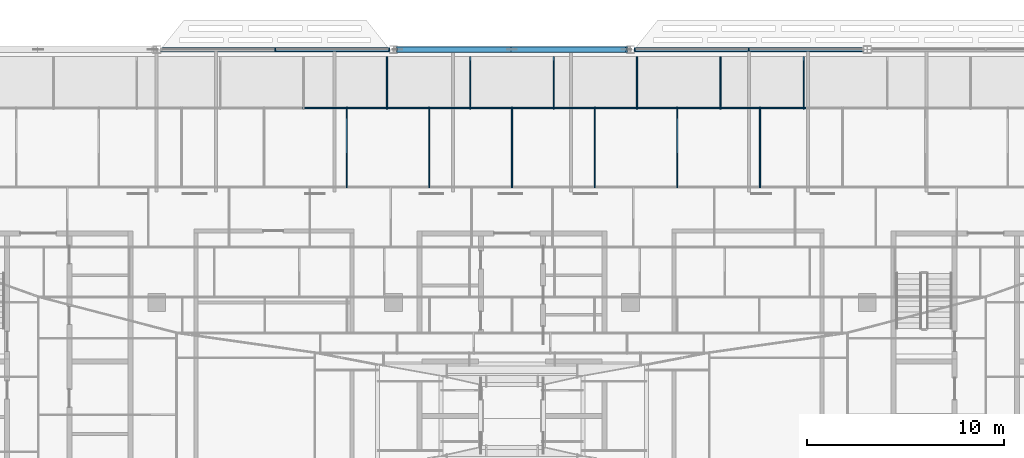
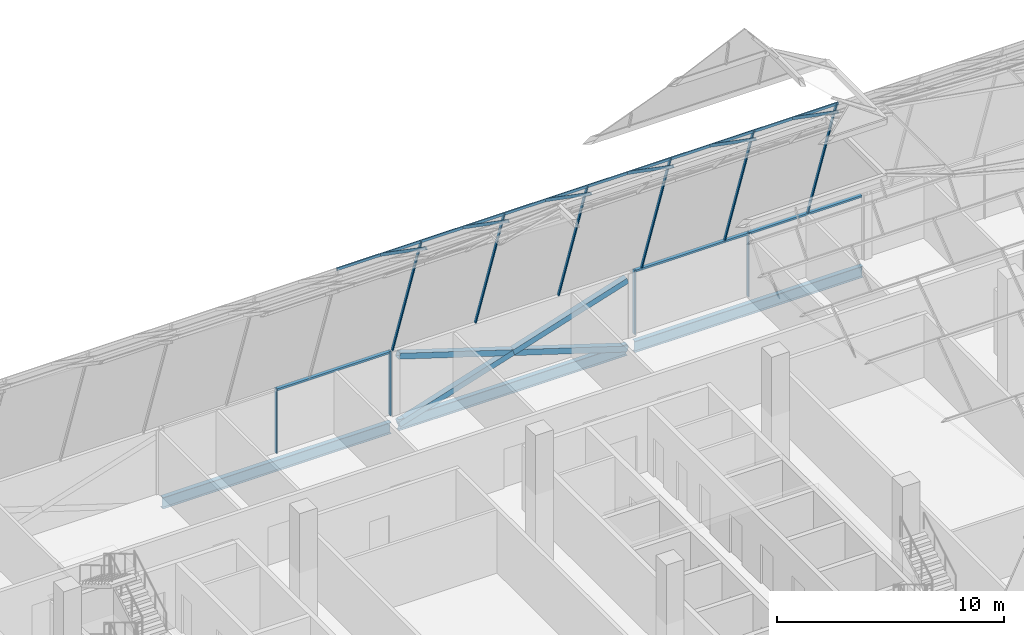
# One storey, part 14 of 39: 28 members, 3 beams, 4 elements without a shape of their own.
"""IFC4 building model written with IfcOpenShell, lengths in metres."""

from ifc_helpers import new_model, si_unit, direction, frame, origin, origin_2d, place, context, subcontext, project, spatial, rectangle, hollow_rectangle, i_section, extrude, material, material_profile, profile_set, type_object, element, aggregate, save


model = new_model("IFC4")

# Units and contexts
model_context = context("Model", 3, precision=1e-05, world=origin(), true_north=direction((0.0, 1.0)))
body_context = subcontext(model_context, "Body", "Model", "MODEL_VIEW")
ifc_project = project(units=[si_unit("LENGTHUNIT", "METRE"), si_unit("AREAUNIT", "SQUARE_METRE"), si_unit("VOLUMEUNIT", "CUBIC_METRE"), si_unit("PLANEANGLEUNIT", "RADIAN"), si_unit("MASSUNIT", "GRAM", prefix="KILO")], contexts=[model_context])

# Site, building, storey
site_placement = place(None, origin())
site = spatial("IfcSite", under=ifc_project, at=site_placement, CompositionType="ELEMENT")
building_placement = place(site_placement, origin())
building = spatial("IfcBuilding", under=site, at=building_placement, Name="Mahtab Terrace Research Tower", CompositionType="ELEMENT")
storey_placement = place(building_placement, frame((0.0, 0.0, 282.300048828125)))
storey = spatial("IfcBuildingStorey", under=building, at=storey_placement, Name="L69", CompositionType="ELEMENT", Elevation=282.300048828125)

# Curtain wall, members
ifc_material_1 = material(Name="Crown faceted glass roof")
curtain_wall_type_1 = type_object("IfcCurtainWallType", Name="Crown faceted glass roof", PredefinedType="NOTDEFINED", material=ifc_material_1)
curtain_wall_1_placement = place(storey_placement, origin())
curtain_wall_1 = element("IfcCurtainWall", 1, at=curtain_wall_1_placement, inside=storey, type_object=curtain_wall_type_1, Name="CROWN.N0", PredefinedType="NOTDEFINED")
ifc_material_2 = material(Name="Natural anodised aluminium", Category="aluminium")
ifc_material_profile_1 = material_profile(ifc_material_2, rectangle(XDim=0.06005859375, YDim=0.139892578125, at=origin_2d()), Name="MULLION 60x140")
ifc_profile_set_1 = profile_set([ifc_material_profile_1], Name="Natural anodised aluminium")
member_type_1 = type_object("IfcMemberType", Name="Crown faceted glass roof mullion", PredefinedType="MULLION", material=ifc_profile_set_1)
member_1_placement = place(storey_placement, frame((-6.33544921875, 23.890869140625, 3.777099609375), z_axis=(0.0, -0.325682087794, 0.945479337527), x_axis=(1.0, 0.0, 0.0)))
member_1 = element("IfcMember", 2, at=member_1_placement, type_object=member_type_1, Name="CWC-N1 mullion 10", PredefinedType="MULLION", context=body_context, shape_type="SweptSolid", body=[
    extrude(rectangle(XDim=0.06005859375, YDim=0.139892578125, at=origin_2d()), origin(), (0.0, 0.0, 1.0), 7.826904296875),
])
member_2_placement = place(storey_placement, frame((-2.11181640625, 23.890869140625, 3.777099609375), z_axis=(0.0, -0.325682087794, 0.945479337527), x_axis=(1.0, 0.0, 0.0)))
member_2 = element("IfcMember", 3, at=member_2_placement, type_object=member_type_1, Name="CWC-N1 mullion 11", PredefinedType="MULLION", context=body_context, shape_type="SweptSolid", body=[
    extrude(rectangle(XDim=0.06005859375, YDim=0.139892578125, at=origin_2d()), origin(), (0.0, 0.0, 1.0), 7.826904296875),
])
member_3_placement = place(storey_placement, frame((2.11181640625, 23.890869140625, 3.777099609375), z_axis=(0.0, -0.325682087794, 0.945479337527), x_axis=(1.0, 0.0, 0.0)))
member_3 = element("IfcMember", 4, at=member_3_placement, type_object=member_type_1, Name="CWC-N1 mullion 12", PredefinedType="MULLION", context=body_context, shape_type="SweptSolid", body=[
    extrude(rectangle(XDim=0.06005859375, YDim=0.139892578125, at=origin_2d()), origin(), (0.0, 0.0, 1.0), 7.826904296875),
])
member_4_placement = place(storey_placement, frame((6.33544921875, 23.890869140625, 3.777099609375), z_axis=(0.0, -0.325682087794, 0.945479337527), x_axis=(1.0, 0.0, 0.0)))
member_4 = element("IfcMember", 5, at=member_4_placement, type_object=member_type_1, Name="CWC-N1 mullion 13", PredefinedType="MULLION", context=body_context, shape_type="SweptSolid", body=[
    extrude(rectangle(XDim=0.06005859375, YDim=0.139892578125, at=origin_2d()), origin(), (0.0, 0.0, 1.0), 7.826904296875),
])
member_5_placement = place(storey_placement, frame((10.55908203125, 23.890869140625, 3.777099609375), z_axis=(0.0, -0.325682087794, 0.945479337527), x_axis=(1.0, 0.0, 0.0)))
member_5 = element("IfcMember", 6, at=member_5_placement, type_object=member_type_1, Name="CWC-N1 mullion 14", PredefinedType="MULLION", context=body_context, shape_type="SweptSolid", body=[
    extrude(rectangle(XDim=0.06005859375, YDim=0.139892578125, at=origin_2d()), origin(), (0.0, 0.0, 1.0), 7.826904296875),
])
member_6_placement = place(storey_placement, frame((14.78271484375, 23.890869140625, 3.777099609375), z_axis=(0.0, -0.325682087794, 0.945479337527), x_axis=(1.0, 0.0, 0.0)))
member_6 = element("IfcMember", 7, at=member_6_placement, type_object=member_type_1, Name="CWC-N1 mullion 15", PredefinedType="MULLION", context=body_context, shape_type="SweptSolid", body=[
    extrude(rectangle(XDim=0.06005859375, YDim=0.139892578125, at=origin_2d()), origin(), (0.0, 0.0, 1.0), 7.826904296875),
])
aggregate(curtain_wall_1, [member_1, member_2, member_3, member_4, member_5, member_6])

curtain_wall_2_placement = place(storey_placement, origin())
curtain_wall_2 = element("IfcCurtainWall", 8, at=curtain_wall_2_placement, inside=storey, type_object=curtain_wall_type_1, Name="CROWN.N1", PredefinedType="NOTDEFINED")
member_7_placement = place(storey_placement, frame((-8.372802734375, 21.367919921875, 11.142333984375), z_axis=(0.0, -0.820812816506, 0.571197269128), x_axis=(1.0, 0.0, 0.0)))
member_7 = element("IfcMember", 9, at=member_7_placement, type_object=member_type_1, Name="CWC-N2 mullion 8", PredefinedType="MULLION", context=body_context, shape_type="SweptSolid", body=[
    extrude(rectangle(XDim=0.06005859375, YDim=0.139892578125, at=origin_2d()), origin(), (0.0, 0.0, 1.0), 4.902099609375),
])
member_8_placement = place(storey_placement, frame((-4.186279296875, 21.367919921875, 11.142333984375), z_axis=(0.0, -0.820812816506, 0.571197269128), x_axis=(1.0, 0.0, 0.0)))
member_8 = element("IfcMember", 10, at=member_8_placement, type_object=member_type_1, Name="CWC-N2 mullion 9", PredefinedType="MULLION", context=body_context, shape_type="SweptSolid", body=[
    extrude(rectangle(XDim=0.06005859375, YDim=0.139892578125, at=origin_2d()), origin(), (0.0, 0.0, 1.0), 4.902099609375),
])
member_9_placement = place(storey_placement, frame((0.0, 21.367919921875, 11.142333984375), z_axis=(0.0, -0.820812816506, 0.571197269128), x_axis=(1.0, 0.0, 0.0)))
member_9 = element("IfcMember", 11, at=member_9_placement, type_object=member_type_1, Name="CWC-N2 mullion 10", PredefinedType="MULLION", context=body_context, shape_type="SweptSolid", body=[
    extrude(rectangle(XDim=0.06005859375, YDim=0.139892578125, at=origin_2d()), origin(), (0.0, 0.0, 1.0), 4.902099609375),
])
member_10_placement = place(storey_placement, frame((4.186279296875, 21.367919921875, 11.142333984375), z_axis=(0.0, -0.820812816506, 0.571197269128), x_axis=(1.0, 0.0, 0.0)))
member_10 = element("IfcMember", 12, at=member_10_placement, type_object=member_type_1, Name="CWC-N2 mullion 11", PredefinedType="MULLION", context=body_context, shape_type="SweptSolid", body=[
    extrude(rectangle(XDim=0.06005859375, YDim=0.139892578125, at=origin_2d()), origin(), (0.0, 0.0, 1.0), 4.902099609375),
])
member_11_placement = place(storey_placement, frame((8.372802734375, 21.367919921875, 11.142333984375), z_axis=(0.0, -0.820812816506, 0.571197269128), x_axis=(1.0, 0.0, 0.0)))
member_11 = element("IfcMember", 13, at=member_11_placement, type_object=member_type_1, Name="CWC-N2 mullion 12", PredefinedType="MULLION", context=body_context, shape_type="SweptSolid", body=[
    extrude(rectangle(XDim=0.06005859375, YDim=0.139892578125, at=origin_2d()), origin(), (0.0, 0.0, 1.0), 4.902099609375),
])
member_12_placement = place(storey_placement, frame((12.55908203125, 21.367919921875, 11.142333984375), z_axis=(0.0, -0.820812816506, 0.571197269128), x_axis=(1.0, 0.0, 0.0)))
member_12 = element("IfcMember", 14, at=member_12_placement, type_object=member_type_1, Name="CWC-N2 mullion 13", PredefinedType="MULLION", context=body_context, shape_type="SweptSolid", body=[
    extrude(rectangle(XDim=0.06005859375, YDim=0.139892578125, at=origin_2d()), origin(), (0.0, 0.0, 1.0), 4.902099609375),
])
ifc_material_profile_2 = material_profile(ifc_material_2, rectangle(XDim=0.06005859375, YDim=0.139892578125, at=origin_2d()), Name="TRANSOM 60x140")
ifc_profile_set_2 = profile_set([ifc_material_profile_2], Name="Natural anodised aluminium")
member_type_2 = type_object("IfcMemberType", Name="Crown faceted glass roof transom", PredefinedType="USERDEFINED", material=ifc_profile_set_2)
member_13_placement = place(storey_placement, frame((-10.630615234375, 21.352294921875, 11.15771484375), z_axis=(1.0, 0.0, 0.0), x_axis=(0.0, 1.0, 0.0)))
member_13 = element("IfcMember", 15, at=member_13_placement, type_object=member_type_2, Name="CWC-N2 transom 9", ObjectType="TRANSOM", PredefinedType="USERDEFINED", context=body_context, shape_type="SweptSolid", body=[
    extrude(rectangle(XDim=0.06005859375, YDim=0.139892578125, at=origin_2d()), origin(), (0.0, 0.0, 1.0), 4.252197265625),
])
member_14_placement = place(storey_placement, frame((-6.37841796875, 21.352294921875, 11.15771484375), z_axis=(1.0, 0.0, 0.0), x_axis=(0.0, 1.0, 0.0)))
member_14 = element("IfcMember", 16, at=member_14_placement, type_object=member_type_2, Name="CWC-N2 transom 10", ObjectType="TRANSOM", PredefinedType="USERDEFINED", context=body_context, shape_type="SweptSolid", body=[
    extrude(rectangle(XDim=0.06005859375, YDim=0.139892578125, at=origin_2d()), origin(), (0.0, 0.0, 1.0), 4.252197265625),
])
member_15_placement = place(storey_placement, frame((-2.126220703125, 21.352294921875, 11.15771484375), z_axis=(1.0, 0.0, 0.0), x_axis=(0.0, 1.0, 0.0)))
member_15 = element("IfcMember", 17, at=member_15_placement, type_object=member_type_2, Name="CWC-N2 transom 11", ObjectType="TRANSOM", PredefinedType="USERDEFINED", context=body_context, shape_type="SweptSolid", body=[
    extrude(rectangle(XDim=0.06005859375, YDim=0.139892578125, at=origin_2d()), origin(), (0.0, 0.0, 1.0), 4.25244140625),
])
member_16_placement = place(storey_placement, frame((2.126220703125, 21.352294921875, 11.15771484375), z_axis=(1.0, 0.0, 0.0), x_axis=(0.0, 1.0, 0.0)))
member_16 = element("IfcMember", 18, at=member_16_placement, type_object=member_type_2, Name="CWC-N2 transom 12", ObjectType="TRANSOM", PredefinedType="USERDEFINED", context=body_context, shape_type="SweptSolid", body=[
    extrude(rectangle(XDim=0.06005859375, YDim=0.139892578125, at=origin_2d()), origin(), (0.0, 0.0, 1.0), 4.252197265625),
])
member_17_placement = place(storey_placement, frame((6.37841796875, 21.352294921875, 11.15771484375), z_axis=(1.0, 0.0, 0.0), x_axis=(0.0, 1.0, 0.0)))
member_17 = element("IfcMember", 19, at=member_17_placement, type_object=member_type_2, Name="CWC-N2 transom 13", ObjectType="TRANSOM", PredefinedType="USERDEFINED", context=body_context, shape_type="SweptSolid", body=[
    extrude(rectangle(XDim=0.06005859375, YDim=0.139892578125, at=origin_2d()), origin(), (0.0, 0.0, 1.0), 4.252197265625),
])
member_18_placement = place(storey_placement, frame((10.630615234375, 21.352294921875, 11.15771484375), z_axis=(1.0, 0.0, 0.0), x_axis=(0.0, 1.0, 0.0)))
member_18 = element("IfcMember", 20, at=member_18_placement, type_object=member_type_2, Name="CWC-N2 transom 14", ObjectType="TRANSOM", PredefinedType="USERDEFINED", context=body_context, shape_type="SweptSolid", body=[
    extrude(rectangle(XDim=0.06005859375, YDim=0.139892578125, at=origin_2d()), origin(), (0.0, 0.0, 1.0), 4.252197265625),
])
aggregate(curtain_wall_2, [member_7, member_8, member_9, member_10, member_11, member_12, member_13, member_14, member_15, member_16, member_17, member_18])

# Members
ifc_material_3 = material(Name="Steel ASTM A500 Gr C", Category="steel")
ifc_material_profile_3 = material_profile(ifc_material_3, hollow_rectangle(XDim=0.3046875, YDim=0.3046875, WallThickness=0.015869140625, at=origin_2d()), Name="HSS12X12X5/8")
ifc_profile_set_3 = profile_set([ifc_material_profile_3], Name="Steel ASTM A500 Gr C")
member_type_3 = type_object("IfcMemberType", Name="HSS 12x12x5/8 brace XB121258", PredefinedType="BRACE", material=ifc_profile_set_3)
member_19_placement = place(storey_placement, frame((5.80322265625, 24.306884765625, -0.581298828125), z_axis=(-0.953344149173, 0.0, 0.301885629399), x_axis=(0.0, -1.0, 0.0)))
element("IfcMember", 21, at=member_19_placement, inside=storey, type_object=member_type_3, Name="Exoskeleton brace L69 05 a", PredefinedType="BRACE", context=body_context, shape_type="SweptSolid", body=[
    extrude(hollow_rectangle(XDim=0.3046875, YDim=0.3046875, WallThickness=0.015869140625, at=origin_2d()), origin(), (0.0, 0.0, 1.0), 12.174560546875),
])
for number, where, z_axis, x_axis, name in (
    (22, (-5.80322265625, 24.306884765625, -0.581298828125), (0.953344149173, 0.0, 0.301885629399), (0.0, 1.0, 0.0), "Exoskeleton brace L69 05 b1"),
    (23, (0.0, 24.306884765625, 1.25634765625), (0.953344149173, 0.0, 0.301885629399), (0.0, 1.0, 0.0), "Exoskeleton brace L69 05 b2"),
):
    element("IfcMember", number, at=place(storey_placement, frame(where, z_axis=z_axis, x_axis=x_axis)), inside=storey, type_object=member_type_3, Name=name, PredefinedType="BRACE", context=body_context, shape_type="SweptSolid", body=[
        extrude(hollow_rectangle(XDim=0.3046875, YDim=0.3046875, WallThickness=0.015869140625, at=origin_2d()), origin(), (0.0, 0.0, 1.0), 6.087158203125),
    ])

# Curtain wall, members
ifc_material_4 = material(Name="Office ribbon curtain wall")
curtain_wall_type_2 = type_object("IfcCurtainWallType", Name="Office ribbon curtain wall", PredefinedType="NOTDEFINED", material=ifc_material_4)
curtain_wall_3_placement = place(storey_placement, origin())
curtain_wall_3 = element("IfcCurtainWall", 24, at=curtain_wall_3_placement, inside=storey, type_object=curtain_wall_type_2, Name="EN.L69.3.5", PredefinedType="NOTDEFINED")
ifc_material_profile_4 = material_profile(ifc_material_2, rectangle(XDim=0.179931640625, YDim=0.06005859375, at=origin_2d()), Name="MULLION 60x180")
ifc_profile_set_4 = profile_set([ifc_material_profile_4], Name="Natural anodised aluminium")
member_type_4 = type_object("IfcMemberType", Name="Office ribbon curtain wall mullion", PredefinedType="MULLION", material=ifc_profile_set_4)
member_20_placement = place(storey_placement, frame((12.0, 24.306884765625, 0.0), z_axis=(0.0, 0.0, 1.0), x_axis=(0.0, -1.0, 0.0)))
member_20 = element("IfcMember", 25, at=member_20_placement, type_object=member_type_4, Name="CWO-8 mullion 2", PredefinedType="MULLION", context=body_context, shape_type="SweptSolid", body=[
    extrude(rectangle(XDim=0.179931640625, YDim=0.06005859375, at=origin_2d()), origin(), (0.0, 0.0, 1.0), 3.4599609375),
])
member_21_placement = place(storey_placement, frame((6.218017578125, 24.306884765625, 0.0), z_axis=(0.0, 0.0, 1.0), x_axis=(0.0, -1.0, 0.0)))
member_21 = element("IfcMember", 26, at=member_21_placement, type_object=member_type_4, Name="CWO-8 mullion 3", PredefinedType="MULLION", context=body_context, shape_type="SweptSolid", body=[
    extrude(rectangle(XDim=0.179931640625, YDim=0.06005859375, at=origin_2d()), origin(), (0.0, 0.0, 1.0), 3.4599609375),
])

curtain_wall_4_placement = place(storey_placement, origin())
curtain_wall_4 = element("IfcCurtainWall", 27, at=curtain_wall_4_placement, inside=storey, type_object=curtain_wall_type_2, Name="EN.L69.3.7", PredefinedType="NOTDEFINED")
member_22_placement = place(storey_placement, frame((-6.218017578125, 24.306884765625, 0.0), z_axis=(0.0, 0.0, 1.0), x_axis=(0.0, -1.0, 0.0)))
member_22 = element("IfcMember", 28, at=member_22_placement, type_object=member_type_4, Name="CWO-8 mullion 1", PredefinedType="MULLION", context=body_context, shape_type="SweptSolid", body=[
    extrude(rectangle(XDim=0.179931640625, YDim=0.06005859375, at=origin_2d()), origin(), (0.0, 0.0, 1.0), 3.4599609375),
])
member_23_placement = place(storey_placement, frame((-12.0, 24.306884765625, 0.0), z_axis=(0.0, 0.0, 1.0), x_axis=(0.0, -1.0, 0.0)))
member_23 = element("IfcMember", 29, at=member_23_placement, type_object=member_type_4, Name="CWO-8 mullion 2", PredefinedType="MULLION", context=body_context, shape_type="SweptSolid", body=[
    extrude(rectangle(XDim=0.179931640625, YDim=0.06005859375, at=origin_2d()), origin(), (0.0, 0.0, 1.0), 3.4599609375),
])

# Member
ifc_material_profile_5 = material_profile(ifc_material_2, rectangle(XDim=0.179931640625, YDim=0.10009765625, at=origin_2d()), Name="TRANSOM 100x180")
ifc_profile_set_5 = profile_set([ifc_material_profile_5], Name="Natural anodised aluminium")
member_type_5 = type_object("IfcMemberType", Name="Office ribbon curtain wall transom", PredefinedType="USERDEFINED", material=ifc_profile_set_5)
member_24_placement = place(storey_placement, frame((17.751953125, 24.306884765625, 3.409912109375), z_axis=(-1.0, 0.0, 0.0), x_axis=(0.0, -1.0, 0.0)))
member_24 = element("IfcMember", 30, at=member_24_placement, type_object=member_type_5, Name="CWO-8 transom 1", ObjectType="TRANSOM", PredefinedType="USERDEFINED", context=body_context, shape_type="SweptSolid", body=[
    extrude(rectangle(XDim=0.179931640625, YDim=0.10009765625, at=origin_2d()), origin(), (0.0, 0.0, 1.0), 5.721923828125),
])

member_25_placement = place(storey_placement, frame((11.969970703125, 24.306884765625, 3.409912109375), z_axis=(-1.0, 0.0, 0.0), x_axis=(0.0, -1.0, 0.0)))
member_25 = element("IfcMember", 31, at=member_25_placement, type_object=member_type_5, Name="CWO-8 transom 2", ObjectType="TRANSOM", PredefinedType="USERDEFINED", context=body_context, shape_type="SweptSolid", body=[
    extrude(rectangle(XDim=0.179931640625, YDim=0.10009765625, at=origin_2d()), origin(), (0.0, 0.0, 1.0), 5.721923828125),
])

aggregate(curtain_wall_3, [member_20, member_21, member_24, member_25])

member_26_placement = place(storey_placement, frame((-6.248046875, 24.306884765625, 3.409912109375), z_axis=(-1.0, 0.0, 0.0), x_axis=(0.0, -1.0, 0.0)))
member_26 = element("IfcMember", 32, at=member_26_placement, type_object=member_type_5, Name="CWO-8 transom 1", ObjectType="TRANSOM", PredefinedType="USERDEFINED", context=body_context, shape_type="SweptSolid", body=[
    extrude(rectangle(XDim=0.179931640625, YDim=0.10009765625, at=origin_2d()), origin(), (0.0, 0.0, 1.0), 5.721923828125),
])

aggregate(curtain_wall_4, [member_22, member_23, member_26])

# Beams
ifc_material_5 = material(Name="Steel ASTM A992 Gr 50", Category="steel")
ifc_material_profile_6 = material_profile(ifc_material_5, i_section(OverallWidth=0.228271484375, OverallDepth=0.607177734375, WebThickness=0.01123046875, FlangeThickness=0.017333984375, at=origin_2d()), Name="W24X76")
ifc_profile_set_6 = profile_set([ifc_material_profile_6], Name="Steel ASTM A992 Gr 50")
beam_type = type_object("IfcBeamType", Name="W24x76 beam BS2476", PredefinedType="BEAM", material=ifc_profile_set_6)
for number, where, z_axis, x_axis, name in (
    (33, (17.80322265625, 24.306884765625, -0.6435546875), (-1.0, 0.0, 0.0), (0.0, -1.0, 0.0), "Spandrel beam L69 04"),
    (34, (5.80322265625, 24.306884765625, -0.6435546875), (-1.0, 0.0, 0.0), (0.0, -1.0, 0.0), "Spandrel beam L69 05"),
    (35, (-6.19677734375, 24.306884765625, -0.6435546875), (-1.0, 0.0, 0.0), (0.0, -1.0, 0.0), "Spandrel beam L69 06"),
):
    element("IfcBeam", number, at=place(storey_placement, frame(where, z_axis=z_axis, x_axis=x_axis)), inside=storey, type_object=beam_type, Name=name, PredefinedType="BEAM", context=body_context, shape_type="SweptSolid", body=[
        extrude(i_section(OverallWidth=0.228271484375, OverallDepth=0.607177734375, WebThickness=0.01123046875, FlangeThickness=0.017333984375, at=origin_2d()), origin(), (0.0, 0.0, 1.0), 11.6064453125),
    ])

save(model, "model.ifc")
